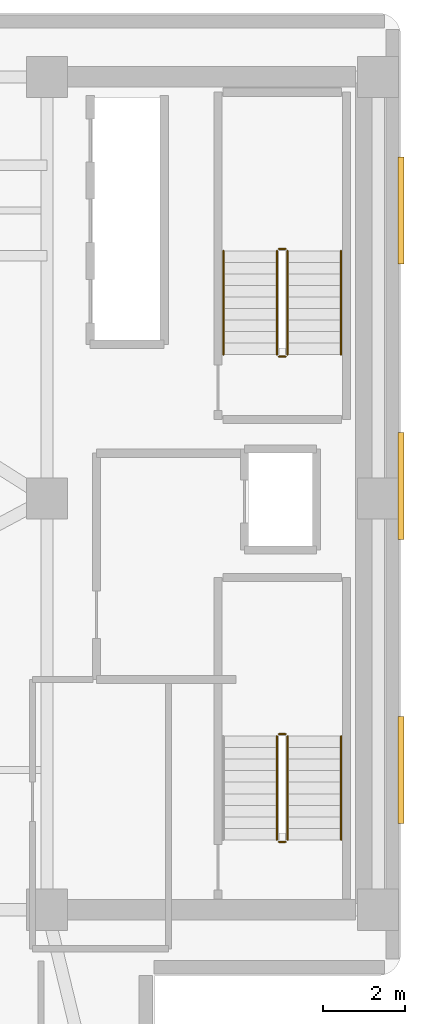
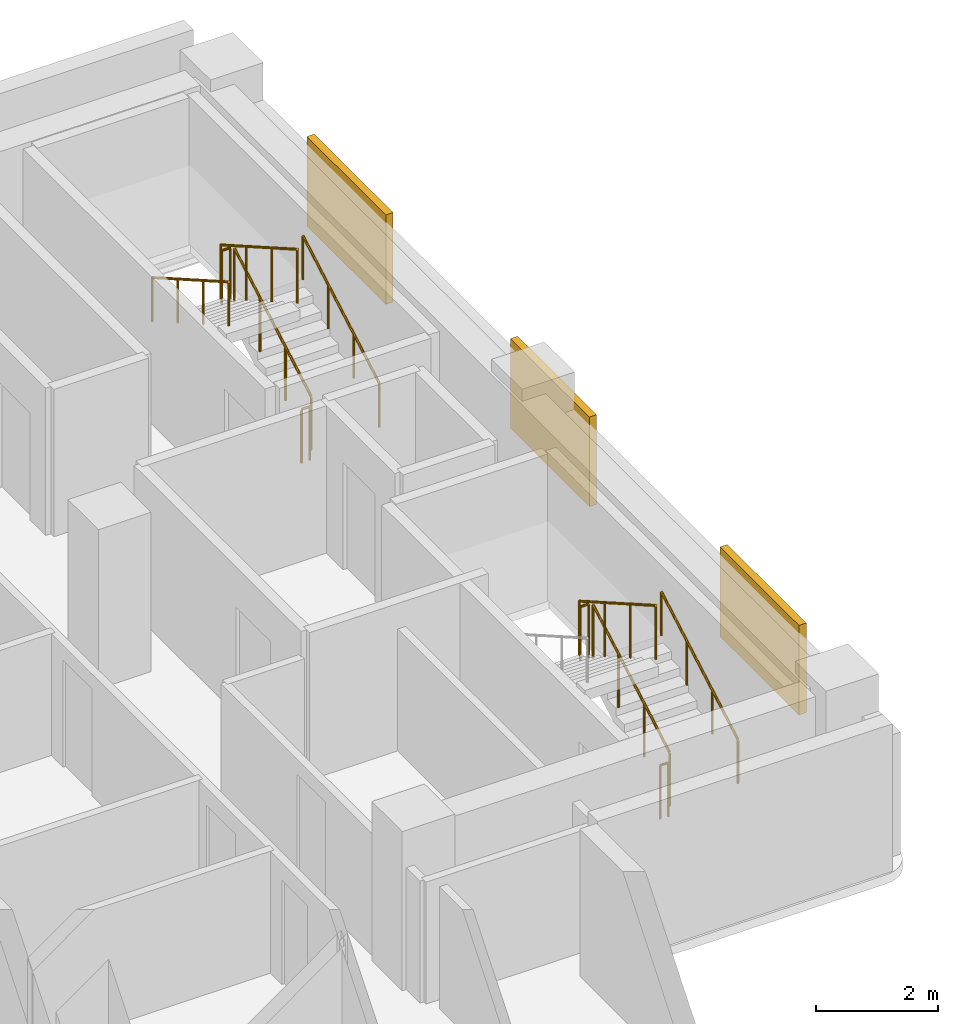
# One storey, part 14 of 14: 11 railings, 3 shading devices.
"""IFC4 building model written with IfcOpenShell, lengths in metres."""

from ifc_helpers import new_model, si_unit, direction, frame, origin, origin_2d, place, context, subcontext, project, spatial, rectangle, circle, extrude, material, layer, layer_set, type_object, element, save


model = new_model("IFC4")

# Units and contexts
model_context = context("Model", 3, precision=1e-05, world=origin(), true_north=direction((0.0, 1.0)))
body_context = subcontext(model_context, "Body", "Model", "MODEL_VIEW")
ifc_project = project(units=[si_unit("LENGTHUNIT", "METRE"), si_unit("AREAUNIT", "SQUARE_METRE"), si_unit("VOLUMEUNIT", "CUBIC_METRE"), si_unit("PLANEANGLEUNIT", "RADIAN"), si_unit("MASSUNIT", "GRAM", prefix="KILO")], contexts=[model_context])

# Site, building, storey
site_placement = place(None, origin())
site = spatial("IfcSite", under=ifc_project, at=site_placement, CompositionType="ELEMENT")
building_placement = place(site_placement, origin())
building = spatial("IfcBuilding", under=site, at=building_placement, Name="Kuzgunbayir Cultural Tower", CompositionType="ELEMENT")
storey_placement = place(building_placement, frame((0.0, 0.0, 36.60009765625)))
storey = spatial("IfcBuildingStorey", under=building, at=storey_placement, Name="L09", CompositionType="ELEMENT", Elevation=36.60009765625)

# Railings
ifc_material_1 = material(Name="Brushed Stainless Steel", Category="steel")
ifc_layer_1 = layer(ifc_material_1, 0.050048828125)
ifc_layer_set_1 = layer_set([ifc_layer_1], Name="Brushed Stainless Steel")
railing_type_1 = type_object("IfcRailingType", Name="RLG-STAIR-HANDRAIL", PredefinedType="HANDRAIL", material=ifc_layer_set_1)
for number, where, name in (
    (1, (71.75, 23.699951171875, 0.159912109375), "L09 ST-3 stair handrail 1"),
    (2, (71.75, 35.5, 0.159912109375), "L09 ST-4 stair handrail 1"),
):
    element("IfcRailing", number, at=place(storey_placement, frame(where)), inside=storey, type_object=railing_type_1, Name=name, PredefinedType="HANDRAIL", context=body_context, shape_type="SweptSolid", body=[
        extrude(circle(Radius=0.02392578125, at=origin_2d()), frame((0.0, 0.0, 0.8759765625), z_axis=(0.0, 0.868253494771, 0.496120820787), x_axis=(-1.0, 0.0, 0.0)), (0.0, 0.0, 1.0), 2.90234375),
        extrude(circle(Radius=0.02099609375, at=origin_2d()), origin(), (0.0, 0.0, 1.0), 0.851806640625),
        extrude(circle(Radius=0.02099609375, at=origin_2d()), frame((0.0, 0.840087890625, 0.47998046875)), (0.0, 0.0, 1.0), 0.851806640625),
        extrude(circle(Radius=0.02099609375, at=origin_2d()), frame((0.0, 1.679931640625, 0.9599609375)), (0.0, 0.0, 1.0), 0.851806640625),
        extrude(circle(Radius=0.02099609375, at=origin_2d()), frame((0.0, 2.52001953125, 1.43994140625)), (0.0, 0.0, 1.0), 0.851806640625),
    ])
railing_1_placement = place(storey_placement, frame((68.889892578125, 38.02001953125, 1.760009765625)))
element("IfcRailing", 3, at=railing_1_placement, inside=storey, type_object=railing_type_1, Name="L09 ST-4 stair handrail 2", PredefinedType="HANDRAIL", context=body_context, shape_type="SweptSolid", body=[
    extrude(circle(Radius=0.02392578125, at=origin_2d()), frame((0.0, 0.0, 0.8759765625), z_axis=(0.0, -0.868253494771, 0.496120820787), x_axis=(1.0, 0.0, 0.0)), (0.0, 0.0, 1.0), 2.90234375),
    extrude(circle(Radius=0.02099609375, at=origin_2d()), origin(), (0.0, 0.0, 1.0), 0.851806640625),
    extrude(circle(Radius=0.02099609375, at=origin_2d()), frame((0.0, -0.840087890625, 0.47998046875)), (0.0, 0.0, 1.0), 0.851806640625),
    extrude(circle(Radius=0.02099609375, at=origin_2d()), frame((0.0, -1.679931640625, 0.9599609375)), (0.0, 0.0, 1.0), 0.851806640625),
    extrude(circle(Radius=0.02099609375, at=origin_2d()), frame((0.0, -2.52001953125, 1.43994140625)), (0.0, 0.0, 1.0), 0.851806640625),
])
ifc_material_2 = material(Name="Painted Steel Balustrade", Category="steel")
ifc_layer_2 = layer(ifc_material_2, 0.06005859375)
ifc_layer_set_2 = layer_set([ifc_layer_2], Name="Painted Steel Balustrade")
railing_type_2 = type_object("IfcRailingType", Name="RLG-WELL-GUARD", PredefinedType="GUARDRAIL", material=ifc_layer_set_2)
railing_2_placement = place(storey_placement, frame((70.449951171875, 23.699951171875, 0.159912109375)))
element("IfcRailing", 4, at=railing_2_placement, inside=storey, type_object=railing_type_2, Name="L09 ST-3 stair guard 1", PredefinedType="GUARDRAIL", context=body_context, shape_type="SweptSolid", body=[
    extrude(circle(Radius=0.02392578125, at=origin_2d()), frame((0.0, 0.0, 1.076171875), z_axis=(0.0, 0.868253494771, 0.496120820787), x_axis=(-1.0, 0.0, 0.0)), (0.0, 0.0, 1.0), 2.90234375),
    extrude(circle(Radius=0.02099609375, at=origin_2d()), origin(), (0.0, 0.0, 1.0), 1.052001953125),
    extrude(circle(Radius=0.02099609375, at=origin_2d()), frame((0.0, 0.840087890625, 0.47998046875)), (0.0, 0.0, 1.0), 1.052001953125),
    extrude(circle(Radius=0.02099609375, at=origin_2d()), frame((0.0, 1.679931640625, 0.9599609375)), (0.0, 0.0, 1.0), 1.052001953125),
    extrude(circle(Radius=0.02099609375, at=origin_2d()), frame((0.0, 2.52001953125, 1.43994140625)), (0.0, 0.0, 1.0), 1.052001953125),
])
railing_3_placement = place(storey_placement, frame((70.39990234375, 26.27001953125, 1.599853515625)))
element("IfcRailing", 5, at=railing_3_placement, inside=storey, type_object=railing_type_2, Name="L09 ST-3 stair guard 2", PredefinedType="GUARDRAIL", context=body_context, shape_type="SweptSolid", body=[
    extrude(circle(Radius=0.02392578125, at=origin_2d()), frame((0.0, 0.0, 1.076171875), z_axis=(-1.0, 0.0, 0.0), x_axis=(0.0, -1.0, 0.0)), (0.0, 0.0, 1.0), 0.159912109375),
    extrude(circle(Radius=0.02099609375, at=origin_2d()), origin(), (0.0, 0.0, 1.0), 1.052001953125),
    extrude(circle(Radius=0.02099609375, at=origin_2d()), frame((-0.159912109375, 0.0, 0.0)), (0.0, 0.0, 1.0), 1.052001953125),
])
railing_4_placement = place(storey_placement, frame((70.18994140625, 26.219970703125, 1.760009765625)))
element("IfcRailing", 6, at=railing_4_placement, inside=storey, type_object=railing_type_2, Name="L09 ST-3 stair guard 3", PredefinedType="GUARDRAIL", context=body_context, shape_type="SweptSolid", body=[
    extrude(circle(Radius=0.02392578125, at=origin_2d()), frame((0.0, 0.0, 1.076171875), z_axis=(0.0, -0.868253494771, 0.496120820787), x_axis=(1.0, 0.0, 0.0)), (0.0, 0.0, 1.0), 2.90234375),
    extrude(circle(Radius=0.02099609375, at=origin_2d()), origin(), (0.0, 0.0, 1.0), 1.052001953125),
    extrude(circle(Radius=0.02099609375, at=origin_2d()), frame((0.0, -0.840087890625, 0.47998046875)), (0.0, 0.0, 1.0), 1.052001953125),
    extrude(circle(Radius=0.02099609375, at=origin_2d()), frame((0.0, -1.679931640625, 0.9599609375)), (0.0, 0.0, 1.0), 1.052001953125),
    extrude(circle(Radius=0.02099609375, at=origin_2d()), frame((0.0, -2.52001953125, 1.43994140625)), (0.0, 0.0, 1.0), 1.052001953125),
])
railing_5_placement = place(storey_placement, frame((70.39990234375, 23.64990234375, 0.0)))
element("IfcRailing", 7, at=railing_5_placement, inside=storey, type_object=railing_type_2, Name="L09 ST-3 stair guard 4", PredefinedType="GUARDRAIL", context=body_context, shape_type="SweptSolid", body=[
    extrude(circle(Radius=0.02392578125, at=origin_2d()), frame((0.0, 0.0, 1.076171875), z_axis=(-1.0, 0.0, 0.0), x_axis=(0.0, -1.0, 0.0)), (0.0, 0.0, 1.0), 0.159912109375),
    extrude(circle(Radius=0.02099609375, at=origin_2d()), origin(), (0.0, 0.0, 1.0), 1.052001953125),
    extrude(circle(Radius=0.02099609375, at=origin_2d()), frame((-0.159912109375, 0.0, 0.0)), (0.0, 0.0, 1.0), 1.052001953125),
])
railing_6_placement = place(storey_placement, frame((70.449951171875, 35.5, 0.159912109375)))
element("IfcRailing", 8, at=railing_6_placement, inside=storey, type_object=railing_type_2, Name="L09 ST-4 stair guard 1", PredefinedType="GUARDRAIL", context=body_context, shape_type="SweptSolid", body=[
    extrude(circle(Radius=0.02392578125, at=origin_2d()), frame((0.0, 0.0, 1.076171875), z_axis=(0.0, 0.868253494771, 0.496120820787), x_axis=(-1.0, 0.0, 0.0)), (0.0, 0.0, 1.0), 2.90234375),
    extrude(circle(Radius=0.02099609375, at=origin_2d()), origin(), (0.0, 0.0, 1.0), 1.052001953125),
    extrude(circle(Radius=0.02099609375, at=origin_2d()), frame((0.0, 0.840087890625, 0.47998046875)), (0.0, 0.0, 1.0), 1.052001953125),
    extrude(circle(Radius=0.02099609375, at=origin_2d()), frame((0.0, 1.679931640625, 0.9599609375)), (0.0, 0.0, 1.0), 1.052001953125),
    extrude(circle(Radius=0.02099609375, at=origin_2d()), frame((0.0, 2.52001953125, 1.43994140625)), (0.0, 0.0, 1.0), 1.052001953125),
])
railing_7_placement = place(storey_placement, frame((70.39990234375, 38.070068359375, 1.599853515625)))
element("IfcRailing", 9, at=railing_7_placement, inside=storey, type_object=railing_type_2, Name="L09 ST-4 stair guard 2", PredefinedType="GUARDRAIL", context=body_context, shape_type="SweptSolid", body=[
    extrude(circle(Radius=0.02392578125, at=origin_2d()), frame((0.0, 0.0, 1.076171875), z_axis=(-1.0, 0.0, 0.0), x_axis=(0.0, -1.0, 0.0)), (0.0, 0.0, 1.0), 0.159912109375),
    extrude(circle(Radius=0.02099609375, at=origin_2d()), origin(), (0.0, 0.0, 1.0), 1.052001953125),
    extrude(circle(Radius=0.02099609375, at=origin_2d()), frame((-0.159912109375, 0.0, 0.0)), (0.0, 0.0, 1.0), 1.052001953125),
])
railing_8_placement = place(storey_placement, frame((70.18994140625, 38.02001953125, 1.760009765625)))
element("IfcRailing", 10, at=railing_8_placement, inside=storey, type_object=railing_type_2, Name="L09 ST-4 stair guard 3", PredefinedType="GUARDRAIL", context=body_context, shape_type="SweptSolid", body=[
    extrude(circle(Radius=0.02392578125, at=origin_2d()), frame((0.0, 0.0, 1.076171875), z_axis=(0.0, -0.868253494771, 0.496120820787), x_axis=(1.0, 0.0, 0.0)), (0.0, 0.0, 1.0), 2.90234375),
    extrude(circle(Radius=0.02099609375, at=origin_2d()), origin(), (0.0, 0.0, 1.0), 1.052001953125),
    extrude(circle(Radius=0.02099609375, at=origin_2d()), frame((0.0, -0.840087890625, 0.47998046875)), (0.0, 0.0, 1.0), 1.052001953125),
    extrude(circle(Radius=0.02099609375, at=origin_2d()), frame((0.0, -1.679931640625, 0.9599609375)), (0.0, 0.0, 1.0), 1.052001953125),
    extrude(circle(Radius=0.02099609375, at=origin_2d()), frame((0.0, -2.52001953125, 1.43994140625)), (0.0, 0.0, 1.0), 1.052001953125),
])
railing_9_placement = place(storey_placement, frame((70.39990234375, 35.449951171875, 0.0)))
element("IfcRailing", 11, at=railing_9_placement, inside=storey, type_object=railing_type_2, Name="L09 ST-4 stair guard 4", PredefinedType="GUARDRAIL", context=body_context, shape_type="SweptSolid", body=[
    extrude(circle(Radius=0.02392578125, at=origin_2d()), frame((0.0, 0.0, 1.076171875), z_axis=(-1.0, 0.0, 0.0), x_axis=(0.0, -1.0, 0.0)), (0.0, 0.0, 1.0), 0.159912109375),
    extrude(circle(Radius=0.02099609375, at=origin_2d()), origin(), (0.0, 0.0, 1.0), 1.052001953125),
    extrude(circle(Radius=0.02099609375, at=origin_2d()), frame((-0.159912109375, 0.0, 0.0)), (0.0, 0.0, 1.0), 1.052001953125),
])

# Shading devices
ifc_material_3 = material(Name="Perforated Bronze-Anodised Aluminium", Category="aluminium")
shading_device_type = type_object("IfcShadingDeviceType", Name="SHD-SOLAR-BRONZE", PredefinedType="JALOUSIE", material=ifc_material_3)
for number, where, z_axis, x_axis, name in (
    (12, (73.2099609375, 25.39990234375, 0.7998046875), (0.0, 0.0, 1.0), (1.0, 0.0, 0.0), "L09 Companion East Bronze Solar Screen 25"),
    (13, (73.2099609375, 32.300048828125, 0.7998046875), (0.0, 0.0, 1.0), (1.0, 0.0, 0.0), "L09 Companion East Bronze Solar Screen 32"),
    (14, (73.2099609375, 39.0, 0.7998046875), (0.0, 0.0, 1.0), (1.0, 0.0, 0.0), "L09 Companion East Bronze Solar Screen 39"),
):
    element("IfcShadingDevice", number, at=place(storey_placement, frame(where, z_axis=z_axis, x_axis=x_axis)), inside=storey, type_object=shading_device_type, Name=name, PredefinedType="JALOUSIE", context=body_context, shape_type="SweptSolid", body=[
        extrude(rectangle(XDim=0.139892578125, YDim=2.60009765625, at=origin_2d()), origin(), (0.0, 0.0, 1.0), 1.800048828125),
    ])

save(model, "model.ifc")
